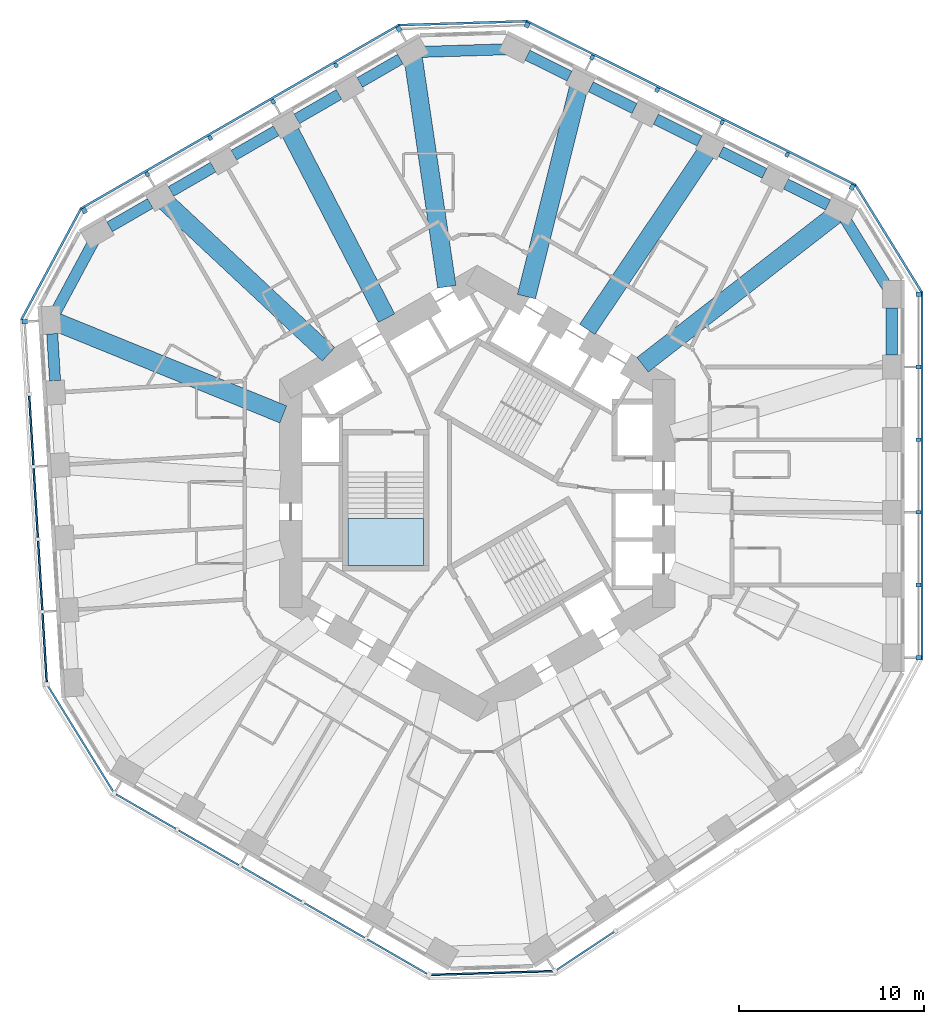
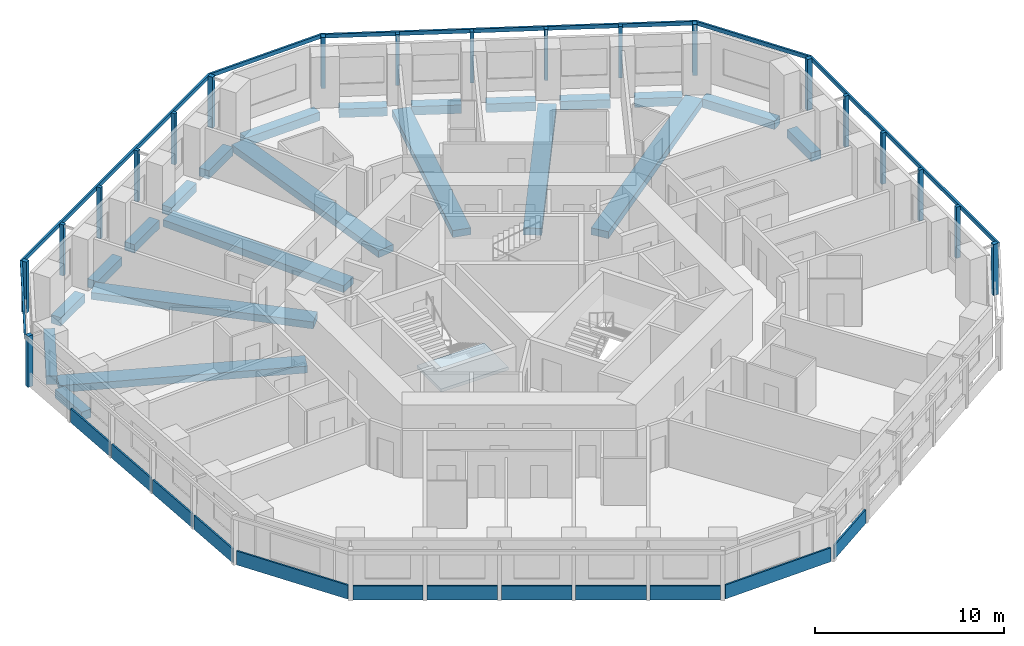
# One storey, part 2 of 12: 25 members, 22 beams, 12 plates, 1 slab, 12 elements without a shape of their own.
"""IFC4 building model written with IfcOpenShell, lengths in metres."""

import ifcopenshell
import ifcopenshell.guid

model = None  # the IFC model being written
_history = None  # IfcOwnerHistory: only IFC2X3 demands one
_inside = {}  # id of a spatial element -> (the spatial element, [elements in it])
_under = {}  # id of a project, library or spatial element -> (it, [spatial elements below it])
_declared = {}  # id of a project -> (the project, [libraries it declares])
_typed = {}  # id of a type object -> (the type object, [elements of that type])
_made_of = {}  # id of a material, layer set ... -> (it, [elements and type objects made of it])


def new_model(schema):
    """Start an empty IFC model of exactly this schema.

    Asked for "IFC4X3", IfcOpenShell would pick the latest addendum, in which some entities
    have other attributes; the version numbers below select the first issue.
    IFC2X3 requires an IfcOwnerHistory on every rooted entity: one is made here for all.
    """
    global model, _history
    if schema == "IFC4X3":
        model = ifcopenshell.file(schema_version=(4, 3, 0, 0))
    else:
        model = ifcopenshell.file(schema=schema)
    _inside.clear()
    _under.clear()
    _declared.clear()
    _typed.clear()
    _made_of.clear()
    _history = None
    if model.schema == "IFC2X3":
        org = make("IfcOrganization", Name="unknown")
        user = make(
            "IfcPersonAndOrganization",
            ThePerson=make("IfcPerson", FamilyName="unknown"),
            TheOrganization=org,
        )
        app = make(
            "IfcApplication",
            ApplicationDeveloper=org,
            Version="unknown",
            ApplicationFullName="unknown",
            ApplicationIdentifier="unknown",
        )
        _history = make(
            "IfcOwnerHistory",
            OwningUser=user,
            OwningApplication=app,
            ChangeAction="ADDED",
            CreationDate=0,
        )
    return model


def make(cls, **values):
    """One entity of the class cls with the attributes given. An attribute that is None is left unset."""
    return model.create_entity(
        cls, **{name: value for name, value in values.items() if value is not None}
    )


def rooted(cls, **values):
    """An entity with a GlobalId (a new one), such as an element, a storey or a relation."""
    return make(cls, GlobalId=ifcopenshell.guid.new(), OwnerHistory=_history, **values)


def si_unit(unit_type, name, prefix=None):
    """IfcSIUnit, for example si_unit("LENGTHUNIT", "METRE", prefix="MILLI")."""
    return make("IfcSIUnit", UnitType=unit_type, Prefix=prefix, Name=name)


def assignment(units):
    """IfcUnitAssignment: the units of a project."""
    return None if units is None else make("IfcUnitAssignment", Units=units)


def point(xyz):
    """IfcCartesianPoint."""
    return None if xyz is None else make("IfcCartesianPoint", Coordinates=xyz)


def direction(xyz):
    """IfcDirection."""
    return None if xyz is None else make("IfcDirection", DirectionRatios=xyz)


def frame(location, z_axis=None, x_axis=None):
    """IfcAxis2Placement3D, a coordinate frame: its origin and axes. An axis left out is left unset."""
    return make(
        "IfcAxis2Placement3D",
        Location=point(location),
        Axis=direction(z_axis),
        RefDirection=direction(x_axis),
    )


def frame_2d(location, x_axis=None):
    """IfcAxis2Placement2D, a coordinate frame in the plane: its origin and x axis."""
    return make(
        "IfcAxis2Placement2D", Location=point(location), RefDirection=direction(x_axis)
    )


def origin():
    """The frame at (0, 0, 0) with its axes left unset."""
    return frame((0.0, 0.0, 0.0))


def origin_2d():
    """The frame at (0, 0) in the plane with its x axis left unset."""
    return frame_2d((0.0, 0.0))


def place(relative_to, where):
    """IfcLocalPlacement: puts the frame where relative to a parent placement (None: the world)."""
    return make(
        "IfcLocalPlacement", PlacementRelTo=relative_to, RelativePlacement=where
    )


def context(
    kind, dimensions, precision=None, world=None, true_north=None, identifier=None
):
    """IfcGeometricRepresentationContext, for example the 3D "Model" context."""
    return make(
        "IfcGeometricRepresentationContext",
        ContextIdentifier=identifier,
        ContextType=kind,
        CoordinateSpaceDimension=dimensions,
        Precision=precision,
        WorldCoordinateSystem=world,
        TrueNorth=true_north,
    )


def subcontext(parent, identifier, kind, view, scale=None):
    """IfcGeometricRepresentationSubContext, for example "Body" below "Model"."""
    return make(
        "IfcGeometricRepresentationSubContext",
        ContextIdentifier=identifier,
        ContextType=kind,
        ParentContext=parent,
        TargetScale=scale,
        TargetView=view,
    )


def project(units=None, contexts=None):
    """IfcProject with its units and contexts."""
    return rooted(
        "IfcProject",
        Name="project",
        RepresentationContexts=contexts,
        UnitsInContext=assignment(units),
    )


def spatial(cls, under=None, at=None, **own):
    """A site, building, storey or space (cls), placed at a placement, below another one or the project."""
    s = rooted(cls, ObjectPlacement=at, **own)
    if under is not None:
        _under.setdefault(under.id(), (under, []))[1].append(s)
    return s


def polyline(points):
    """IfcPolyline through the points."""
    return make("IfcPolyline", Points=[point(p) for p in points])


def profile(cls, at=None, kind="AREA", **sizes):
    """A parametric profile (cls). Its sizes go by their IFC names, for example OverallWidth=200.0."""
    return make(cls, ProfileType=kind, Position=at, **sizes)


def rectangle(**sizes):
    """IfcRectangleProfileDef."""
    return profile("IfcRectangleProfileDef", **sizes)


def outline(outer, holes=None, kind="AREA"):
    """IfcArbitraryClosedProfileDef: a profile drawn as a closed curve; with holes, ...WithVoids."""
    if holes is None:
        return make("IfcArbitraryClosedProfileDef", ProfileType=kind, OuterCurve=outer)
    return make(
        "IfcArbitraryProfileDefWithVoids",
        ProfileType=kind,
        OuterCurve=outer,
        InnerCurves=holes,
    )


def extrude(swept, where, along, depth):
    """IfcExtrudedAreaSolid: the profile swept, set in the frame where, extruded along a direction by depth."""
    return make(
        "IfcExtrudedAreaSolid",
        SweptArea=swept,
        Position=where,
        ExtrudedDirection=direction(along),
        Depth=depth,
    )


def shape(context_of_items, identifier, shape_type, items):
    """IfcShapeRepresentation: the items that make up one representation, for example the "Body"."""
    return make(
        "IfcShapeRepresentation",
        ContextOfItems=context_of_items,
        RepresentationIdentifier=identifier,
        RepresentationType=shape_type,
        Items=items,
    )


def material(Name=None, Category=None):
    """IfcMaterial."""
    return make("IfcMaterial", Name=Name, Category=Category)


def layer(
    of_material, thickness, ventilated=None, Name=None, Category=None, Priority=None
):
    """IfcMaterialLayer: one layer of a wall or slab, of a material (None: an air gap)."""
    return make(
        "IfcMaterialLayer",
        Material=of_material,
        LayerThickness=thickness,
        IsVentilated=ventilated,
        Name=Name,
        Category=Category,
        Priority=Priority,
    )


def layer_set(layers, Name=None):
    """IfcMaterialLayerSet."""
    return make("IfcMaterialLayerSet", MaterialLayers=layers, LayerSetName=Name)


def material_profile(
    of_material, cross_section, Name=None, Category=None, Priority=None
):
    """IfcMaterialProfile: a cross section and its material."""
    return make(
        "IfcMaterialProfile",
        Name=Name,
        Material=of_material,
        Profile=cross_section,
        Priority=Priority,
        Category=Category,
    )


def profile_set(profiles, Name=None, composite=None):
    """IfcMaterialProfileSet."""
    return make(
        "IfcMaterialProfileSet",
        Name=Name,
        MaterialProfiles=profiles,
        CompositeProfile=composite,
    )


def made_of(thing, what):
    """Note that an element or type object is made of a material, layer set ...; save() writes the relation."""
    if what is not None:
        _made_of.setdefault(what.id(), (what, []))[1].append(thing)
    return thing


def type_object(cls, material=None, **own):
    """A type object (cls), such as IfcWallType, which elements share."""
    return made_of(rooted(cls, **own), material)


def element(
    cls,
    number,
    at=None,
    inside=None,
    cuts=None,
    type_object=None,
    material=None,
    context=None,
    identifier="Body",
    shape_type=None,
    held_by="IfcProductDefinitionShape",
    body=None,
    shapes=None,
    **own,
):
    """One element of the class cls, such as IfcWall. Its Tag is "e" and its number.

    at: its placement. inside: the storey or other place that contains it. cuts: it is an
    opening in that element (IfcRelVoidsElement). A single representation is given by context,
    identifier, shape_type and body (its items); several are given by shapes. held_by: the class
    of the entity that holds the representations. save() writes the other relations.
    """
    e = rooted(cls, Tag="e%d" % number, ObjectPlacement=at, **own)
    if body is not None:
        shapes = [shape(context, identifier, shape_type, body)]
    if shapes is not None:
        e.Representation = make(held_by, Representations=shapes)
    if inside is not None:
        _inside.setdefault(inside.id(), (inside, []))[1].append(e)
    if cuts is not None:
        rooted(
            "IfcRelVoidsElement", RelatingBuildingElement=cuts, RelatedOpeningElement=e
        )
    if type_object is not None:
        _typed.setdefault(type_object.id(), (type_object, []))[1].append(e)
    return made_of(e, material)


def aggregate(whole, parts):
    """IfcRelAggregates: a whole, such as a stair, and the parts it consists of."""
    return rooted("IfcRelAggregates", RelatingObject=whole, RelatedObjects=parts)


def save(model, path):
    """Write the relations noted so far, then the file.

    IfcRelAggregates (storeys below a building ...), IfcRelContainedInSpatialStructure (elements
    in a storey), IfcRelDefinesByType, IfcRelAssociatesMaterial and IfcRelDeclares: one each for
    every whole, place, type object, material and project.
    """
    for whole, parts in _under.values():
        aggregate(whole, parts)
    for where, things in _inside.values():
        rooted(
            "IfcRelContainedInSpatialStructure",
            RelatedElements=things,
            RelatingStructure=where,
        )
    for kind, things in _typed.values():
        rooted("IfcRelDefinesByType", RelatedObjects=things, RelatingType=kind)
    for what, things in _made_of.values():
        rooted("IfcRelAssociatesMaterial", RelatedObjects=things, RelatingMaterial=what)
    for by, libraries in _declared.values():
        rooted("IfcRelDeclares", RelatingContext=by, RelatedDefinitions=libraries)
    model.write(path)


model = new_model("IFC4")

# Units and contexts
model_context = context("Model", 3, precision=1e-05, world=origin(), true_north=direction((0.0, 1.0)))
body_context = subcontext(model_context, "Body", "Model", "MODEL_VIEW")
ifc_project = project(units=[si_unit("LENGTHUNIT", "METRE"), si_unit("AREAUNIT", "SQUARE_METRE"), si_unit("VOLUMEUNIT", "CUBIC_METRE"), si_unit("PLANEANGLEUNIT", "RADIAN"), si_unit("MASSUNIT", "GRAM", prefix="KILO")], contexts=[model_context])

# Site, building, storey
site_placement = place(None, origin())
site = spatial("IfcSite", under=ifc_project, at=site_placement, CompositionType="ELEMENT")
building_placement = place(site_placement, origin())
building = spatial("IfcBuilding", under=site, at=building_placement, Name="Vanh Sen Convention Tower", CompositionType="ELEMENT")
storey_placement = place(building_placement, frame((0.0, 0.0, 60.5)))
storey = spatial("IfcBuildingStorey", under=building, at=storey_placement, Name="L12", CompositionType="ELEMENT", Elevation=60.5)

# Curtain wall, members
ifc_material_1 = material(Name="Concrete C50/60", Category="concrete")
curtain_wall_type = type_object("IfcCurtainWallType", Name="Outer skin hotel zone", PredefinedType="NOTDEFINED", material=ifc_material_1)
curtain_wall_1_placement = place(storey_placement, origin())
curtain_wall_1 = element("IfcCurtainWall", 1, at=curtain_wall_1_placement, inside=storey, type_object=curtain_wall_type, Name="OUTER SKIN E L12", PredefinedType="NOTDEFINED")
ifc_material_profile_1 = material_profile(ifc_material_1, rectangle(XDim=0.25, YDim=0.300048828125, at=origin_2d()), Name="Outer skin precast corner fin 250 x 300")
ifc_profile_set_1 = profile_set([ifc_material_profile_1], Name="Concrete C50/60")
member_type_1 = type_object("IfcMemberType", Name="Outer skin precast corner fin 250 x 300", PredefinedType="MULLION", material=ifc_profile_set_1)
member_1_placement = place(storey_placement, frame((23.89990234375, -8.899169921875, 0.0), z_axis=(0.0, 0.0, 1.0), x_axis=(0.0, 1.0, 0.0)))
member_1 = element("IfcMember", 2, at=member_1_placement, type_object=member_type_1, Name="OUTER SKIN CORNER FIN 1 E L12", PredefinedType="MULLION", context=body_context, shape_type="SweptSolid", body=[
    extrude(rectangle(XDim=0.25, YDim=0.300048828125, at=origin_2d()), origin(), (0.0, 0.0, 1.0), 3.300048828125),
])
member_2_placement = place(storey_placement, frame((23.89990234375, 10.773681640625, 0.0), z_axis=(0.0, 0.0, 1.0), x_axis=(0.0, 1.0, 0.0)))
member_2 = element("IfcMember", 3, at=member_2_placement, type_object=member_type_1, Name="OUTER SKIN CORNER FIN 6 E L12", PredefinedType="MULLION", context=body_context, shape_type="SweptSolid", body=[
    extrude(rectangle(XDim=0.25, YDim=0.300048828125, at=origin_2d()), origin(), (0.0, 0.0, 1.0), 3.300048828125),
])

curtain_wall_2_placement = place(storey_placement, origin())
curtain_wall_2 = element("IfcCurtainWall", 4, at=curtain_wall_2_placement, inside=storey, type_object=curtain_wall_type, Name="OUTER SKIN NE L12", PredefinedType="NOTDEFINED")
member_3_placement = place(storey_placement, frame((20.305908203125, 16.581787109375, 0.0), z_axis=(0.0, 0.0, 1.0), x_axis=(-0.894934361602, 0.44619781311, 0.0)))
member_3 = element("IfcMember", 5, at=member_3_placement, type_object=member_type_1, Name="OUTER SKIN CORNER FIN 1 NE L12", PredefinedType="MULLION", context=body_context, shape_type="SweptSolid", body=[
    extrude(rectangle(XDim=0.25, YDim=0.300048828125, at=origin_2d()), origin(), (0.0, 0.0, 1.0), 3.300048828125),
])
member_4_placement = place(storey_placement, frame((2.699951171875, 25.35986328125, 0.0), z_axis=(0.0, 0.0, 1.0), x_axis=(-0.894934361602, 0.44619781311, 0.0)))
member_4 = element("IfcMember", 6, at=member_4_placement, type_object=member_type_1, Name="OUTER SKIN CORNER FIN 6 NE L12", PredefinedType="MULLION", context=body_context, shape_type="SweptSolid", body=[
    extrude(rectangle(XDim=0.25, YDim=0.300048828125, at=origin_2d()), origin(), (0.0, 0.0, 1.0), 3.300048828125),
])

curtain_wall_3_placement = place(storey_placement, origin())
curtain_wall_3 = element("IfcCurtainWall", 7, at=curtain_wall_3_placement, inside=storey, type_object=curtain_wall_type, Name="OUTER SKIN NW L12", PredefinedType="NOTDEFINED")
member_5_placement = place(storey_placement, frame((-4.242919921875, 25.147705078125, 0.0), z_axis=(0.0, 0.0, 1.0), x_axis=(-0.866025403784, -0.5, 0.0)))
member_5 = element("IfcMember", 8, at=member_5_placement, type_object=member_type_1, Name="OUTER SKIN CORNER FIN 1 NW L12", PredefinedType="MULLION", context=body_context, shape_type="SweptSolid", body=[
    extrude(rectangle(XDim=0.25, YDim=0.300048828125, at=origin_2d()), origin(), (0.0, 0.0, 1.0), 3.300048828125),
])
member_6_placement = place(storey_placement, frame((-21.2802734375, 15.31103515625, 0.0), z_axis=(0.0, 0.0, 1.0), x_axis=(-0.866025403784, -0.5, 0.0)))
member_6 = element("IfcMember", 9, at=member_6_placement, type_object=member_type_1, Name="OUTER SKIN CORNER FIN 6 NW L12", PredefinedType="MULLION", context=body_context, shape_type="SweptSolid", body=[
    extrude(rectangle(XDim=0.25, YDim=0.300048828125, at=origin_2d()), origin(), (0.0, 0.0, 1.0), 3.300048828125),
])

# Curtain wall, member
curtain_wall_4_placement = place(storey_placement, origin())
curtain_wall_4 = element("IfcCurtainWall", 10, at=curtain_wall_4_placement, inside=storey, type_object=curtain_wall_type, Name="OUTER SKIN W L12", PredefinedType="NOTDEFINED")
member_7_placement = place(storey_placement, frame((-24.51318359375, 9.294677734375, 0.0), z_axis=(0.0, 0.0, 1.0), x_axis=(0.061048539535, -0.998134798422, 0.0)))
member_7 = element("IfcMember", 11, at=member_7_placement, type_object=member_type_1, Name="OUTER SKIN CORNER FIN 1 W L12", PredefinedType="MULLION", context=body_context, shape_type="SweptSolid", body=[
    extrude(rectangle(XDim=0.25, YDim=0.300048828125, at=origin_2d()), origin(), (0.0, 0.0, 1.0), 3.300048828125),
])

# Member
ifc_material_profile_2 = material_profile(ifc_material_1, rectangle(XDim=0.199951171875, YDim=0.25, at=origin_2d()), Name="Outer skin precast fin 200 x 250")
ifc_profile_set_2 = profile_set([ifc_material_profile_2], Name="Concrete C50/60")
member_type_2 = type_object("IfcMemberType", Name="Outer skin precast fin 200 x 250", PredefinedType="MULLION", material=ifc_profile_set_2)
member_8_placement = place(storey_placement, frame((23.89990234375, -4.964599609375, 0.0), z_axis=(0.0, 0.0, 1.0), x_axis=(0.0, 1.0, 0.0)))
member_8 = element("IfcMember", 12, at=member_8_placement, type_object=member_type_2, Name="OUTER SKIN fin 2 E L12", PredefinedType="MULLION", context=body_context, shape_type="SweptSolid", body=[
    extrude(rectangle(XDim=0.199951171875, YDim=0.25, at=origin_2d()), origin(), (0.0, 0.0, 1.0), 3.300048828125),
])

member_9_placement = place(storey_placement, frame((23.89990234375, -1.030029296875, 0.0), z_axis=(0.0, 0.0, 1.0), x_axis=(0.0, 1.0, 0.0)))
member_9 = element("IfcMember", 13, at=member_9_placement, type_object=member_type_2, Name="OUTER SKIN fin 3 E L12", PredefinedType="MULLION", context=body_context, shape_type="SweptSolid", body=[
    extrude(rectangle(XDim=0.199951171875, YDim=0.25, at=origin_2d()), origin(), (0.0, 0.0, 1.0), 3.300048828125),
])

member_10_placement = place(storey_placement, frame((23.89990234375, 2.904541015625, 0.0), z_axis=(0.0, 0.0, 1.0), x_axis=(0.0, 1.0, 0.0)))
member_10 = element("IfcMember", 14, at=member_10_placement, type_object=member_type_2, Name="OUTER SKIN fin 4 E L12", PredefinedType="MULLION", context=body_context, shape_type="SweptSolid", body=[
    extrude(rectangle(XDim=0.199951171875, YDim=0.25, at=origin_2d()), origin(), (0.0, 0.0, 1.0), 3.300048828125),
])

member_11_placement = place(storey_placement, frame((23.89990234375, 6.839111328125, 0.0), z_axis=(0.0, 0.0, 1.0), x_axis=(0.0, 1.0, 0.0)))
member_11 = element("IfcMember", 15, at=member_11_placement, type_object=member_type_2, Name="OUTER SKIN fin 5 E L12", PredefinedType="MULLION", context=body_context, shape_type="SweptSolid", body=[
    extrude(rectangle(XDim=0.199951171875, YDim=0.25, at=origin_2d()), origin(), (0.0, 0.0, 1.0), 3.300048828125),
])

member_12_placement = place(storey_placement, frame((16.78466796875, 18.33740234375, 0.0), z_axis=(0.0, 0.0, 1.0), x_axis=(-0.894934361602, 0.44619781311, 0.0)))
member_12 = element("IfcMember", 16, at=member_12_placement, type_object=member_type_2, Name="OUTER SKIN fin 2 NE L12", PredefinedType="MULLION", context=body_context, shape_type="SweptSolid", body=[
    extrude(rectangle(XDim=0.199951171875, YDim=0.25, at=origin_2d()), origin(), (0.0, 0.0, 1.0), 3.300048828125),
])

member_13_placement = place(storey_placement, frame((13.263427734375, 20.093017578125, 0.0), z_axis=(0.0, 0.0, 1.0), x_axis=(-0.894934361602, 0.44619781311, 0.0)))
member_13 = element("IfcMember", 17, at=member_13_placement, type_object=member_type_2, Name="OUTER SKIN fin 3 NE L12", PredefinedType="MULLION", context=body_context, shape_type="SweptSolid", body=[
    extrude(rectangle(XDim=0.199951171875, YDim=0.25, at=origin_2d()), origin(), (0.0, 0.0, 1.0), 3.300048828125),
])

member_14_placement = place(storey_placement, frame((9.7421875, 21.8486328125, 0.0), z_axis=(0.0, 0.0, 1.0), x_axis=(-0.894934361602, 0.44619781311, 0.0)))
member_14 = element("IfcMember", 18, at=member_14_placement, type_object=member_type_2, Name="OUTER SKIN fin 4 NE L12", PredefinedType="MULLION", context=body_context, shape_type="SweptSolid", body=[
    extrude(rectangle(XDim=0.199951171875, YDim=0.25, at=origin_2d()), origin(), (0.0, 0.0, 1.0), 3.300048828125),
])

member_15_placement = place(storey_placement, frame((6.22119140625, 23.604248046875, 0.0), z_axis=(0.0, 0.0, 1.0), x_axis=(-0.894934361602, 0.44619781311, 0.0)))
member_15 = element("IfcMember", 19, at=member_15_placement, type_object=member_type_2, Name="OUTER SKIN fin 5 NE L12", PredefinedType="MULLION", context=body_context, shape_type="SweptSolid", body=[
    extrude(rectangle(XDim=0.199951171875, YDim=0.25, at=origin_2d()), origin(), (0.0, 0.0, 1.0), 3.300048828125),
])

member_16_placement = place(storey_placement, frame((-7.650390625, 23.180419921875, 0.0), z_axis=(0.0, 0.0, 1.0), x_axis=(-0.866025403784, -0.5, 0.0)))
member_16 = element("IfcMember", 20, at=member_16_placement, type_object=member_type_2, Name="OUTER SKIN fin 2 NW L12", PredefinedType="MULLION", context=body_context, shape_type="SweptSolid", body=[
    extrude(rectangle(XDim=0.199951171875, YDim=0.25, at=origin_2d()), origin(), (0.0, 0.0, 1.0), 3.300048828125),
])

member_17_placement = place(storey_placement, frame((-11.057861328125, 21.212890625, 0.0), z_axis=(0.0, 0.0, 1.0), x_axis=(-0.866025403784, -0.5, 0.0)))
member_17 = element("IfcMember", 21, at=member_17_placement, type_object=member_type_2, Name="OUTER SKIN fin 3 NW L12", PredefinedType="MULLION", context=body_context, shape_type="SweptSolid", body=[
    extrude(rectangle(XDim=0.199951171875, YDim=0.25, at=origin_2d()), origin(), (0.0, 0.0, 1.0), 3.300048828125),
])

member_18_placement = place(storey_placement, frame((-14.46533203125, 19.24560546875, 0.0), z_axis=(0.0, 0.0, 1.0), x_axis=(-0.866025403784, -0.5, 0.0)))
member_18 = element("IfcMember", 22, at=member_18_placement, type_object=member_type_2, Name="OUTER SKIN fin 4 NW L12", PredefinedType="MULLION", context=body_context, shape_type="SweptSolid", body=[
    extrude(rectangle(XDim=0.199951171875, YDim=0.25, at=origin_2d()), origin(), (0.0, 0.0, 1.0), 3.300048828125),
])

member_19_placement = place(storey_placement, frame((-17.872802734375, 17.2783203125, 0.0), z_axis=(0.0, 0.0, 1.0), x_axis=(-0.866025403784, -0.5, 0.0)))
member_19 = element("IfcMember", 23, at=member_19_placement, type_object=member_type_2, Name="OUTER SKIN fin 5 NW L12", PredefinedType="MULLION", context=body_context, shape_type="SweptSolid", body=[
    extrude(rectangle(XDim=0.199951171875, YDim=0.25, at=origin_2d()), origin(), (0.0, 0.0, 1.0), 3.300048828125),
])

ifc_material_profile_3 = material_profile(ifc_material_1, rectangle(XDim=0.1201171875, YDim=0.25, at=origin_2d()), Name="Outer skin precast spandrel band 250 x 120")
ifc_profile_set_3 = profile_set([ifc_material_profile_3], Name="Concrete C50/60")
member_type_3 = type_object("IfcMemberType", Name="Outer skin precast spandrel band 250 x 120", PredefinedType="USERDEFINED", material=ifc_profile_set_3)
member_20_placement = place(storey_placement, frame((24.0849609375, -9.024169921875, 3.175048828125), z_axis=(0.0, 1.0, 0.0), x_axis=(-1.0, 0.0, 0.0)))
member_20 = element("IfcMember", 24, at=member_20_placement, type_object=member_type_3, Name="OUTER SKIN spandrel band E L12", ObjectType="TRANSOM", PredefinedType="USERDEFINED", context=body_context, shape_type="SweptSolid", body=[
    extrude(rectangle(XDim=0.1201171875, YDim=0.25, at=origin_2d()), origin(), (0.0, 0.0, 1.0), 19.9228515625),
])

aggregate(curtain_wall_1, [member_1, member_8, member_9, member_10, member_11, member_2, member_20])

# Curtain wall, member
curtain_wall_5_placement = place(storey_placement, origin())
curtain_wall_5 = element("IfcCurtainWall", 25, at=curtain_wall_5_placement, inside=storey, type_object=curtain_wall_type, Name="OUTER SKIN CH1 L12", PredefinedType="NOTDEFINED")
member_21_placement = place(storey_placement, frame((24.07861328125, 10.88427734375, 3.175048828125), z_axis=(-0.526195864379, 0.850363400148, 0.0), x_axis=(-0.850363400148, -0.526195864379, 0.0)))
member_21 = element("IfcMember", 26, at=member_21_placement, type_object=member_type_3, Name="OUTER SKIN spandrel band CH1 L12", ObjectType="TRANSOM", PredefinedType="USERDEFINED", context=body_context, shape_type="SweptSolid", body=[
    extrude(rectangle(XDim=0.1201171875, YDim=0.25, at=origin_2d()), origin(), (0.0, 0.0, 1.0), 6.830078125),
])
aggregate(curtain_wall_5, [member_21])

# Member
member_22_placement = place(storey_placement, frame((20.500244140625, 16.69140625, 3.175048828125), z_axis=(-0.894931498167, 0.446203556227, 0.0), x_axis=(-0.446203556227, -0.894931498167, 0.0)))
member_22 = element("IfcMember", 27, at=member_22_placement, type_object=member_type_3, Name="OUTER SKIN spandrel band NE L12", ObjectType="TRANSOM", PredefinedType="USERDEFINED", context=body_context, shape_type="SweptSolid", body=[
    extrude(rectangle(XDim=0.1201171875, YDim=0.25, at=origin_2d()), origin(), (0.0, 0.0, 1.0), 19.9228515625),
])

aggregate(curtain_wall_2, [member_3, member_12, member_13, member_14, member_15, member_4, member_22])

# Curtain wall, member
curtain_wall_6_placement = place(storey_placement, origin())
curtain_wall_6 = element("IfcCurtainWall", 28, at=curtain_wall_6_placement, inside=storey, type_object=curtain_wall_type, Name="OUTER SKIN CH2 L12", PredefinedType="NOTDEFINED")
member_23_placement = place(storey_placement, frame((2.693603515625, 25.569580078125, 3.175048828125), z_axis=(-0.999533472857, -0.030542374483, 0.0), x_axis=(0.030542374483, -0.999533472857, 0.0)))
member_23 = element("IfcMember", 29, at=member_23_placement, type_object=member_type_3, Name="OUTER SKIN spandrel band CH2 L12", ObjectType="TRANSOM", PredefinedType="USERDEFINED", context=body_context, shape_type="SweptSolid", body=[
    extrude(rectangle(XDim=0.1201171875, YDim=0.25, at=origin_2d()), origin(), (0.0, 0.0, 1.0), 6.9462890625),
])
aggregate(curtain_wall_6, [member_23])

# Member
member_24_placement = place(storey_placement, frame((-4.227294921875, 25.370361328125, 3.175048828125), z_axis=(-0.866028047459, -0.499995420993, 0.0), x_axis=(0.499995420993, -0.866028047459, 0.0)))
member_24 = element("IfcMember", 30, at=member_24_placement, type_object=member_type_3, Name="OUTER SKIN spandrel band NW L12", ObjectType="TRANSOM", PredefinedType="USERDEFINED", context=body_context, shape_type="SweptSolid", body=[
    extrude(rectangle(XDim=0.1201171875, YDim=0.25, at=origin_2d()), origin(), (0.0, 0.0, 1.0), 19.923095703125),
])

aggregate(curtain_wall_3, [member_5, member_16, member_17, member_18, member_19, member_6, member_24])

# Curtain wall, member
curtain_wall_7_placement = place(storey_placement, origin())
curtain_wall_7 = element("IfcCurtainWall", 31, at=curtain_wall_7_placement, inside=storey, type_object=curtain_wall_type, Name="OUTER SKIN CH3 L12", PredefinedType="NOTDEFINED")
member_25_placement = place(storey_placement, frame((-21.46533203125, 15.410400390625, 3.175048828125), z_axis=(-0.473315186561, -0.880893145717, 0.0), x_axis=(0.880893145717, -0.473315186561, 0.0)))
member_25 = element("IfcMember", 32, at=member_25_placement, type_object=member_type_3, Name="OUTER SKIN spandrel band CH3 L12", ObjectType="TRANSOM", PredefinedType="USERDEFINED", context=body_context, shape_type="SweptSolid", body=[
    extrude(rectangle(XDim=0.1201171875, YDim=0.25, at=origin_2d()), origin(), (0.0, 0.0, 1.0), 6.829833984375),
])
aggregate(curtain_wall_7, [member_25])

# Beams
ifc_material_2 = material(Name="Concrete C50/60", Category="concrete")
ifc_material_profile_4 = material_profile(ifc_material_2, rectangle(XDim=1.0, YDim=0.449951171875, at=origin_2d()), Name="RC 1000X450")
ifc_profile_set_4 = profile_set([ifc_material_profile_4], Name="Concrete C50/60")
beam_type_1 = type_object("IfcBeamType", Name="Radial floor beam 1000 x 450", PredefinedType="BEAM", material=ifc_profile_set_4)
beam_1_placement = place(storey_placement, frame((19.41455078125, 15.093994140625, -0.47509765625), z_axis=(-0.789473256885, -0.613784959627, 0.0), x_axis=(0.613784959627, -0.789473256885, 0.0)))
element("IfcBeam", 33, at=beam_1_placement, inside=storey, type_object=beam_type_1, Name="Radial beam 04 L12", PredefinedType="BEAM", context=body_context, shape_type="SweptSolid", body=[
    extrude(rectangle(XDim=1.0, YDim=0.449951171875, at=origin_2d()), origin(), (0.0, 0.0, 1.0), 13.248779296875),
])
beam_2_placement = place(storey_placement, frame((12.374267578125, 18.4345703125, -0.47509765625), z_axis=(-0.557324389615, -0.830294842053, 0.0), x_axis=(0.830294842053, -0.557324389615, 0.0)))
element("IfcBeam", 34, at=beam_2_placement, inside=storey, type_object=beam_type_1, Name="Radial beam 05 L12", PredefinedType="BEAM", context=body_context, shape_type="SweptSolid", body=[
    extrude(rectangle(XDim=1.0, YDim=0.449951171875, at=origin_2d()), origin(), (0.0, 0.0, 1.0), 11.51708984375),
])
beam_3_placement = place(storey_placement, frame((5.47802734375, 21.921875, -0.47509765625), z_axis=(-0.242426812684, -0.97016969675, 0.0), x_axis=(0.97016969675, -0.242426812684, 0.0)))
element("IfcBeam", 35, at=beam_3_placement, inside=storey, type_object=beam_type_1, Name="Radial beam 06 L12", PredefinedType="BEAM", context=body_context, shape_type="SweptSolid", body=[
    extrude(rectangle(XDim=1.0, YDim=0.449951171875, at=origin_2d()), origin(), (0.0, 0.0, 1.0), 11.614501953125),
])
beam_4_placement = place(storey_placement, frame((-3.46923828125, 23.560791015625, -0.47509765625), z_axis=(0.145669310946, -0.989333337075, 0.0), x_axis=(0.989333337075, 0.145669310946, 0.0)))
element("IfcBeam", 36, at=beam_4_placement, inside=storey, type_object=beam_type_1, Name="Radial beam 07 L12", PredefinedType="BEAM", context=body_context, shape_type="SweptSolid", body=[
    extrude(rectangle(XDim=1.0, YDim=0.449951171875, at=origin_2d()), origin(), (0.0, 0.0, 1.0), 12.5078125),
])
beam_5_placement = place(storey_placement, frame((-10.115478515625, 19.53759765625, -0.47509765625), z_axis=(0.459758563435, -0.8880439535, 0.0), x_axis=(0.8880439535, 0.459758563435, 0.0)))
element("IfcBeam", 37, at=beam_5_placement, inside=storey, type_object=beam_type_1, Name="Radial beam 08 L12", PredefinedType="BEAM", context=body_context, shape_type="SweptSolid", body=[
    extrude(rectangle(XDim=1.0, YDim=0.449951171875, at=origin_2d()), origin(), (0.0, 0.0, 1.0), 11.317626953125),
])
beam_6_placement = place(storey_placement, frame((-16.880859375, 15.773193359375, -0.47509765625), z_axis=(0.730669888391, -0.682730923717, 0.0), x_axis=(0.682730923717, 0.730669888391, 0.0)))
element("IfcBeam", 38, at=beam_6_placement, inside=storey, type_object=beam_type_1, Name="Radial beam 09 L12", PredefinedType="BEAM", context=body_context, shape_type="SweptSolid", body=[
    extrude(rectangle(XDim=1.0, YDim=0.449951171875, at=origin_2d()), origin(), (0.0, 0.0, 1.0), 12.074951171875),
])
beam_7_placement = place(storey_placement, frame((-22.779052734375, 9.266357421875, -0.47509765625), z_axis=(0.926290168233, -0.376810992719, 0.0), x_axis=(0.376810992719, 0.926290168233, 0.0)))
element("IfcBeam", 39, at=beam_7_placement, inside=storey, type_object=beam_type_1, Name="Radial beam 10 L12", PredefinedType="BEAM", context=body_context, shape_type="SweptSolid", body=[
    extrude(rectangle(XDim=1.0, YDim=0.449951171875, at=origin_2d()), origin(), (0.0, 0.0, 1.0), 13.24853515625),
])
ifc_material_profile_5 = material_profile(ifc_material_2, rectangle(XDim=0.60009765625, YDim=0.550048828125, at=origin_2d()), Name="RC 600X550")
ifc_profile_set_5 = profile_set([ifc_material_profile_5], Name="Concrete C50/60")
beam_type_2 = type_object("IfcBeamType", Name="Spandrel beam 600 x 550", PredefinedType="SPANDREL", material=ifc_profile_set_5)
beam_8_placement = place(storey_placement, frame((22.449951171875, 7.484130859375, -0.52490234375), z_axis=(0.0, 1.0, 0.0), x_axis=(-1.0, 0.0, 0.0)))
element("IfcBeam", 40, at=beam_8_placement, inside=storey, type_object=beam_type_2, Name="Spandrel beam 05 L12", PredefinedType="SPANDREL", context=body_context, shape_type="SweptSolid", body=[
    extrude(rectangle(XDim=0.60009765625, YDim=0.550048828125, at=origin_2d()), origin(), (0.0, 0.0, 1.0), 2.544677734375),
])
beam_9_placement = place(storey_placement, frame((22.207763671875, 11.165283203125, -0.52490234375), z_axis=(-0.526233808765, 0.850339919392, 0.0), x_axis=(-0.850339919392, -0.526233808765, 0.0)))
element("IfcBeam", 41, at=beam_9_placement, inside=storey, type_object=beam_type_2, Name="Spandrel beam 06 L12", PredefinedType="SPANDREL", context=body_context, shape_type="SweptSolid", body=[
    extrude(rectangle(XDim=0.60009765625, YDim=0.550048828125, at=origin_2d()), origin(), (0.0, 0.0, 1.0), 4.38330078125),
])
beam_10_placement = place(storey_placement, frame((18.9921875, 15.616455078125, -0.52490234375), z_axis=(-0.89492552091, 0.446215544356, 0.0), x_axis=(-0.446215544356, -0.89492552091, 0.0)))
element("IfcBeam", 42, at=beam_10_placement, inside=storey, type_object=beam_type_2, Name="Spandrel beam 07 L12", PredefinedType="SPANDREL", context=body_context, shape_type="SweptSolid", body=[
    extrude(rectangle(XDim=0.60009765625, YDim=0.550048828125, at=origin_2d()), origin(), (0.0, 0.0, 1.0), 2.544677734375),
])
beam_11_placement = place(storey_placement, frame((15.560546875, 17.327392578125, -0.52490234375), z_axis=(-0.894925098079, 0.446216392379, 0.0), x_axis=(-0.446216392379, -0.894925098079, 0.0)))
element("IfcBeam", 43, at=beam_11_placement, inside=storey, type_object=beam_type_2, Name="Spandrel beam 08 L12", PredefinedType="SPANDREL", context=body_context, shape_type="SweptSolid", body=[
    extrude(rectangle(XDim=0.60009765625, YDim=0.550048828125, at=origin_2d()), origin(), (0.0, 0.0, 1.0), 2.644775390625),
])
for number, where, z_axis, x_axis, name in (
    (44, (12.039306640625, 19.0830078125, -0.52490234375), (-0.894906716461, 0.446253256383, 0.0), (-0.446253256383, -0.894906716461, 0.0), "Spandrel beam 09 L12"),
    (45, (8.51806640625, 20.838623046875, -0.52490234375), (-0.894906716461, 0.446253256383, 0.0), (-0.446253256383, -0.894906716461, 0.0), "Spandrel beam 10 L12"),
):
    element("IfcBeam", number, at=place(storey_placement, frame(where, z_axis=z_axis, x_axis=x_axis)), inside=storey, type_object=beam_type_2, Name=name, PredefinedType="SPANDREL", context=body_context, shape_type="SweptSolid", body=[
        extrude(rectangle(XDim=0.60009765625, YDim=0.550048828125, at=origin_2d()), origin(), (0.0, 0.0, 1.0), 2.64453125),
    ])
beam_12_placement = place(storey_placement, frame((4.996826171875, 22.59423828125, -0.52490234375), z_axis=(-0.89492552091, 0.446215544356, 0.0), x_axis=(-0.446215544356, -0.89492552091, 0.0)))
element("IfcBeam", 46, at=beam_12_placement, inside=storey, type_object=beam_type_2, Name="Spandrel beam 11 L12", PredefinedType="SPANDREL", context=body_context, shape_type="SweptSolid", body=[
    extrude(rectangle(XDim=0.60009765625, YDim=0.550048828125, at=origin_2d()), origin(), (0.0, 0.0, 1.0), 2.544677734375),
])
beam_13_placement = place(storey_placement, frame((1.56005859375, 24.047119140625, -0.52490234375), z_axis=(-0.99953328448, -0.030548538698, 0.0), x_axis=(0.030548538698, -0.99953328448, 0.0)))
element("IfcBeam", 47, at=beam_13_placement, inside=storey, type_object=beam_type_2, Name="Spandrel beam 12 L12", PredefinedType="SPANDREL", context=body_context, shape_type="SweptSolid", body=[
    extrude(rectangle(XDim=0.60009765625, YDim=0.550048828125, at=origin_2d()), origin(), (0.0, 0.0, 1.0), 4.58740234375),
])
beam_14_placement = place(storey_placement, frame((-4.1630859375, 23.519287109375, -0.52490234375), z_axis=(-0.866056180903, -0.499946688677, 0.0), x_axis=(0.499946688677, -0.866056180903, 0.0)))
element("IfcBeam", 48, at=beam_14_placement, inside=storey, type_object=beam_type_2, Name="Spandrel beam 13 L12", PredefinedType="SPANDREL", context=body_context, shape_type="SweptSolid", body=[
    extrude(rectangle(XDim=0.60009765625, YDim=0.550048828125, at=origin_2d()), origin(), (0.0, 0.0, 1.0), 2.544677734375),
])
for number, where, z_axis, x_axis, name in (
    (49, (-7.484130859375, 21.60205078125, -0.52490234375), (-0.866030315638, -0.499991492324, 0.0), (0.499991492324, -0.866030315638, 0.0), "Spandrel beam 14 L12"),
    (50, (-10.8916015625, 19.634765625, -0.52490234375), (-0.866030315638, -0.499991492324, 0.0), (0.499991492324, -0.866030315638, 0.0), "Spandrel beam 15 L12"),
    (51, (-14.299072265625, 17.66748046875, -0.52490234375), (-0.866030315638, -0.499991492324, 0.0), (0.499991492324, -0.866030315638, 0.0), "Spandrel beam 16 L12"),
):
    element("IfcBeam", number, at=place(storey_placement, frame(where, z_axis=z_axis, x_axis=x_axis)), inside=storey, type_object=beam_type_2, Name=name, PredefinedType="SPANDREL", context=body_context, shape_type="SweptSolid", body=[
        extrude(rectangle(XDim=0.60009765625, YDim=0.550048828125, at=origin_2d()), origin(), (0.0, 0.0, 1.0), 2.64453125),
    ])
beam_15_placement = place(storey_placement, frame((-17.70654296875, 15.7001953125, -0.52490234375), z_axis=(-0.866032197868, -0.499988232117, 0.0), x_axis=(0.499988232117, -0.866032197868, 0.0)))
element("IfcBeam", 52, at=beam_15_placement, inside=storey, type_object=beam_type_2, Name="Spandrel beam 17 L12", PredefinedType="SPANDREL", context=body_context, shape_type="SweptSolid", body=[
    extrude(rectangle(XDim=0.60009765625, YDim=0.550048828125, at=origin_2d()), origin(), (0.0, 0.0, 1.0), 2.54443359375),
])
beam_16_placement = place(storey_placement, frame((-20.773193359375, 13.64990234375, -0.52490234375), z_axis=(-0.47333237284, -0.880883911093, 0.0), x_axis=(0.880883911093, -0.47333237284, 0.0)))
element("IfcBeam", 53, at=beam_16_placement, inside=storey, type_object=beam_type_2, Name="Spandrel beam 18 L12", PredefinedType="SPANDREL", context=body_context, shape_type="SweptSolid", body=[
    extrude(rectangle(XDim=0.60009765625, YDim=0.550048828125, at=origin_2d()), origin(), (0.0, 0.0, 1.0), 4.38330078125),
])
beam_17_placement = place(storey_placement, frame((-23.020263671875, 8.639404296875, -0.52490234375), z_axis=(0.061022277531, -0.998136404328, 0.0), x_axis=(0.998136404328, 0.061022277531, 0.0)))
element("IfcBeam", 54, at=beam_17_placement, inside=storey, type_object=beam_type_2, Name="Spandrel beam 19 L12", PredefinedType="SPANDREL", context=body_context, shape_type="SweptSolid", body=[
    extrude(rectangle(XDim=0.60009765625, YDim=0.550048828125, at=origin_2d()), origin(), (0.0, 0.0, 1.0), 2.54443359375),
])

# Plate
ifc_layer_1 = layer(ifc_material_1, 0.10009765625)
ifc_layer_set_1 = layer_set([ifc_layer_1], Name="Concrete C50/60")
plate_type = type_object("IfcPlateType", Name="Outer skin precast screen panel 100", PredefinedType="CURTAIN_PANEL", material=ifc_layer_set_1)
plate_1_placement = place(storey_placement, frame((-24.15283203125, 3.40380859375, 0.0), z_axis=(0.0, 0.0, 1.0), x_axis=(0.061048539535, -0.998134798422, 0.0)))
plate_1 = element("IfcPlate", 55, at=plate_1_placement, type_object=plate_type, Name="OUTER SKIN screen panel W-2", PredefinedType="CURTAIN_PANEL", context=body_context, shape_type="SweptSolid", body=[
    extrude(rectangle(XDim=3.734619140625, YDim=0.10009765625, at=origin_2d()), origin(), (0.0, 0.0, 1.0), 0.89990234375),
])

plate_2_placement = place(storey_placement, frame((-23.91259765625, -0.523681640625, 0.0), z_axis=(0.0, 0.0, 1.0), x_axis=(0.061046797461, -0.99813490497, 0.0)))
plate_2 = element("IfcPlate", 56, at=plate_2_placement, type_object=plate_type, Name="OUTER SKIN screen panel W-3", PredefinedType="CURTAIN_PANEL", context=body_context, shape_type="SweptSolid", body=[
    extrude(rectangle(XDim=3.734619140625, YDim=0.10009765625, at=origin_2d()), origin(), (0.0, 0.0, 1.0), 0.89990234375),
])

plate_3_placement = place(storey_placement, frame((-23.67236328125, -4.45068359375, 0.0), z_axis=(0.0, 0.0, 1.0), x_axis=(0.061048539535, -0.998134798422, 0.0)))
plate_3 = element("IfcPlate", 57, at=plate_3_placement, type_object=plate_type, Name="OUTER SKIN screen panel W-4", PredefinedType="CURTAIN_PANEL", context=body_context, shape_type="SweptSolid", body=[
    extrude(rectangle(XDim=3.734619140625, YDim=0.10009765625, at=origin_2d()), origin(), (0.0, 0.0, 1.0), 0.89990234375),
])

plate_4_placement = place(storey_placement, frame((-23.43310546875, -8.365478515625, 0.0), z_axis=(0.0, 0.0, 1.0), x_axis=(0.061046797461, -0.99813490497, 0.0)))
plate_4 = element("IfcPlate", 58, at=plate_4_placement, type_object=plate_type, Name="OUTER SKIN screen panel W-5", PredefinedType="CURTAIN_PANEL", context=body_context, shape_type="SweptSolid", body=[
    extrude(rectangle(XDim=3.709716796875, YDim=0.10009765625, at=origin_2d()), origin(), (0.0, 0.0, 1.0), 0.89990234375),
])

aggregate(curtain_wall_4, [member_7, plate_1, plate_2, plate_3, plate_4])

# Curtain wall, plate
curtain_wall_8_placement = place(storey_placement, origin())
curtain_wall_8 = element("IfcCurtainWall", 59, at=curtain_wall_8_placement, inside=storey, type_object=curtain_wall_type, Name="OUTER SKIN CH4 L12", PredefinedType="NOTDEFINED")
plate_5_placement = place(storey_placement, frame((-21.484619140625, -13.295166015625, 0.0), z_axis=(0.0, 0.0, 1.0), x_axis=(0.526205018755, -0.850357735448, 0.0)))
plate_5 = element("IfcPlate", 60, at=plate_5_placement, type_object=plate_type, Name="OUTER SKIN screen panel CH4-1", PredefinedType="CURTAIN_PANEL", context=body_context, shape_type="SweptSolid", body=[
    extrude(rectangle(XDim=6.6962890625, YDim=0.10009765625, at=origin_2d()), origin(), (0.0, 0.0, 1.0), 0.89990234375),
])
aggregate(curtain_wall_8, [plate_5])

# Curtain wall, plates
curtain_wall_9_placement = place(storey_placement, origin())
curtain_wall_9 = element("IfcCurtainWall", 61, at=curtain_wall_9_placement, inside=storey, type_object=curtain_wall_type, Name="OUTER SKIN SW L12", PredefinedType="NOTDEFINED")
plate_6_placement = place(storey_placement, frame((-17.9423828125, -17.23828125, 0.0), z_axis=(0.0, 0.0, 1.0), x_axis=(0.866028021766, -0.499995465495, 0.0)))
plate_6 = element("IfcPlate", 62, at=plate_6_placement, type_object=plate_type, Name="OUTER SKIN screen panel SW-1", PredefinedType="CURTAIN_PANEL", context=body_context, shape_type="SweptSolid", body=[
    extrude(rectangle(XDim=3.709716796875, YDim=0.10009765625, at=origin_2d()), origin(), (0.0, 0.0, 1.0), 0.89990234375),
])
plate_7_placement = place(storey_placement, frame((-14.5458984375, -19.19921875, 0.0), z_axis=(0.0, 0.0, 1.0), x_axis=(0.866032385017, -0.499987907955, 0.0)))
plate_7 = element("IfcPlate", 63, at=plate_7_placement, type_object=plate_type, Name="OUTER SKIN screen panel SW-2", PredefinedType="CURTAIN_PANEL", context=body_context, shape_type="SweptSolid", body=[
    extrude(rectangle(XDim=3.734619140625, YDim=0.10009765625, at=origin_2d()), origin(), (0.0, 0.0, 1.0), 0.89990234375),
])
plate_8_placement = place(storey_placement, frame((-11.138427734375, -21.16650390625, 0.0), z_axis=(0.0, 0.0, 1.0), x_axis=(0.866028021766, -0.499995465495, 0.0)))
plate_8 = element("IfcPlate", 64, at=plate_8_placement, type_object=plate_type, Name="OUTER SKIN screen panel SW-3", PredefinedType="CURTAIN_PANEL", context=body_context, shape_type="SweptSolid", body=[
    extrude(rectangle(XDim=3.734619140625, YDim=0.10009765625, at=origin_2d()), origin(), (0.0, 0.0, 1.0), 0.89990234375),
])
plate_9_placement = place(storey_placement, frame((-7.73095703125, -23.1337890625, 0.0), z_axis=(0.0, 0.0, 1.0), x_axis=(0.866028021766, -0.499995465495, 0.0)))
plate_9 = element("IfcPlate", 65, at=plate_9_placement, type_object=plate_type, Name="OUTER SKIN screen panel SW-4", PredefinedType="CURTAIN_PANEL", context=body_context, shape_type="SweptSolid", body=[
    extrude(rectangle(XDim=3.734619140625, YDim=0.10009765625, at=origin_2d()), origin(), (0.0, 0.0, 1.0), 0.89990234375),
])
plate_10_placement = place(storey_placement, frame((-4.334228515625, -25.094970703125, 0.0), z_axis=(0.0, 0.0, 1.0), x_axis=(0.866021040428, -0.500007557478, 0.0)))
plate_10 = element("IfcPlate", 66, at=plate_10_placement, type_object=plate_type, Name="OUTER SKIN screen panel SW-5", PredefinedType="CURTAIN_PANEL", context=body_context, shape_type="SweptSolid", body=[
    extrude(rectangle(XDim=3.70947265625, YDim=0.10009765625, at=origin_2d()), origin(), (0.0, 0.0, 1.0), 0.89990234375),
])
aggregate(curtain_wall_9, [plate_6, plate_7, plate_8, plate_9, plate_10])

# Curtain wall, plate
curtain_wall_10_placement = place(storey_placement, origin())
curtain_wall_10 = element("IfcCurtainWall", 67, at=curtain_wall_10_placement, inside=storey, type_object=curtain_wall_type, Name="OUTER SKIN CH5 L12", PredefinedType="NOTDEFINED")
plate_11_placement = place(storey_placement, frame((0.793701171875, -25.98046875, 0.0), z_axis=(0.0, 0.0, 1.0), x_axis=(0.999533484231, 0.03054200224, 0.0)))
plate_11 = element("IfcPlate", 68, at=plate_11_placement, type_object=plate_type, Name="OUTER SKIN screen panel CH5-1", PredefinedType="CURTAIN_PANEL", context=body_context, shape_type="SweptSolid", body=[
    extrude(rectangle(XDim=6.580078125, YDim=0.10009765625, at=origin_2d()), origin(), (0.0, 0.0, 1.0), 0.89990234375),
])
aggregate(curtain_wall_10, [plate_11])

curtain_wall_11_placement = place(storey_placement, origin())
curtain_wall_11 = element("IfcCurtainWall", 69, at=curtain_wall_11_placement, inside=storey, type_object=curtain_wall_type, Name="OUTER SKIN SE L12", PredefinedType="NOTDEFINED")
plate_12_placement = place(storey_placement, frame((5.858154296875, -24.783447265625, 0.0), z_axis=(0.0, 0.0, 1.0), x_axis=(0.833891601892, 0.55192825285, 0.0)))
plate_12 = element("IfcPlate", 70, at=plate_12_placement, type_object=plate_type, Name="OUTER SKIN screen panel SE-1", PredefinedType="CURTAIN_PANEL", context=body_context, shape_type="SweptSolid", body=[
    extrude(rectangle(XDim=3.709716796875, YDim=0.10009765625, at=origin_2d()), origin(), (0.0, 0.0, 1.0), 0.89990234375),
])
aggregate(curtain_wall_11, [plate_12])

# Stair, slab
ifc_material_3 = material(Name="Concrete C50/60", Category="concrete")
stair_type = type_object("IfcStairType", Name="Exit stair ST2 20 risers at 165.0", PredefinedType="HALF_TURN_STAIR", material=ifc_material_3)
stair_placement = place(storey_placement, origin())
stair = element("IfcStair", 71, at=stair_placement, inside=storey, type_object=stair_type, Name="Exit stair ST2 L12", PredefinedType="HALF_TURN_STAIR")
ifc_material_4 = material(Name="Concrete C40/50", Category="concrete")
ifc_layer_2 = layer(ifc_material_4, 0.199951171875)
ifc_layer_set_2 = layer_set([ifc_layer_2], Name="Concrete C40/50")
slab_type = type_object("IfcSlabType", Name="Stair landing 200", PredefinedType="LANDING", material=ifc_layer_set_2)
slab_placement = place(storey_placement, frame((0.0, 0.0, 1.449951171875)))
slab = element("IfcSlab", 72, at=slab_placement, type_object=slab_type, Name="ST2 landing 1", PredefinedType="LANDING", context=body_context, shape_type="SweptSolid", body=[
    extrude(outline(polyline([(-7.0, -1.369384765625), (-7.0, -3.909912109375), (-2.89990234375, -3.909912109375), (-2.89990234375, -1.369384765625), (-7.0, -1.369384765625)])), origin(), (0.0, 0.0, 1.0), 0.199951171875),
])
aggregate(stair, [slab])

save(model, "model.ifc")
